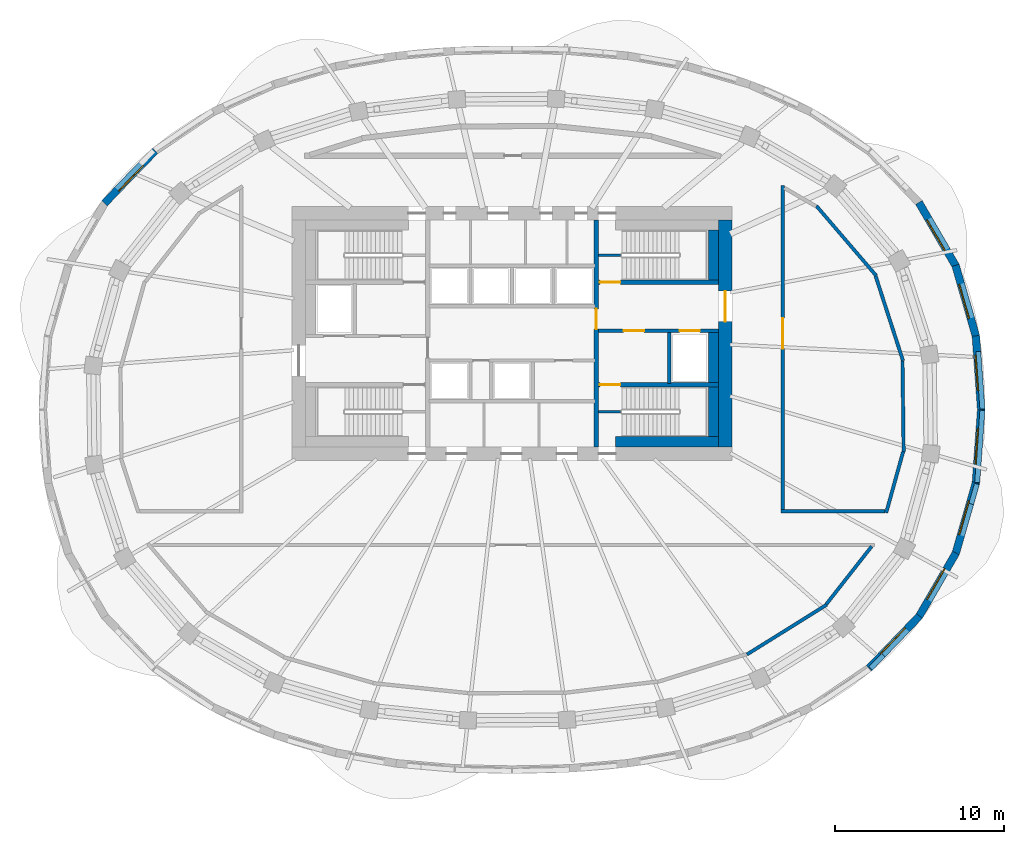
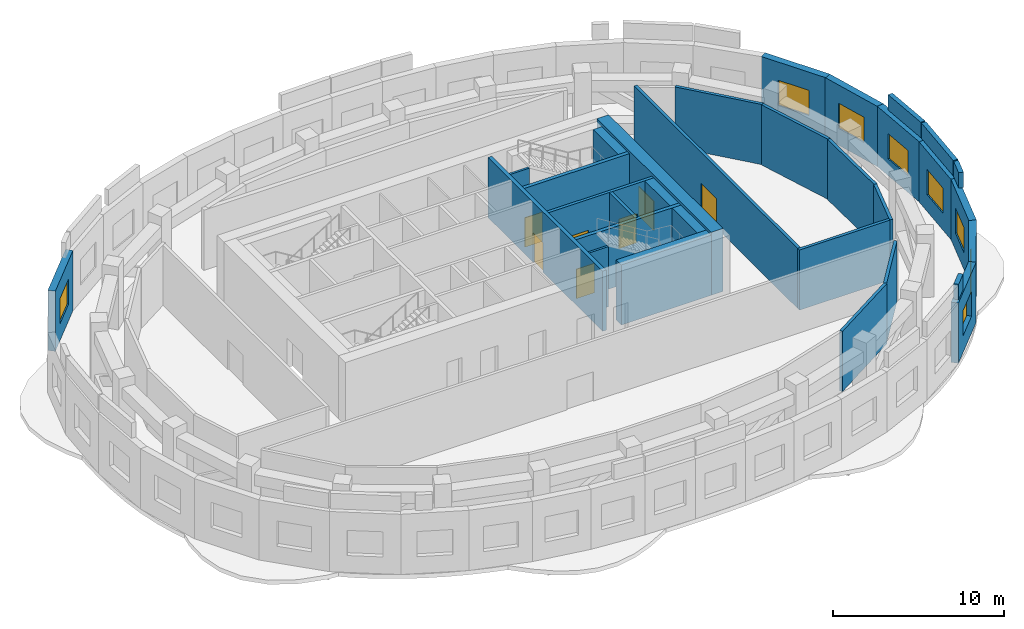
# One storey, part 6 of 9: 32 walls, 8 windows, 7 doors, 15 openings.
"""IFC4 building model written with IfcOpenShell, lengths in metres."""

from ifc_helpers import new_model, si_unit, direction, frame, frame_2d, origin, place, context, subcontext, project, spatial, rectangle, extrude, material, layer, layer_set, type_object, element, fill, save


model = new_model("IFC4")

# Units and contexts
model_context = context("Model", 3, precision=1e-05, world=origin(), true_north=direction((0.0, 1.0)))
body_context = subcontext(model_context, "Body", "Model", "MODEL_VIEW")
ifc_project = project(units=[si_unit("LENGTHUNIT", "METRE"), si_unit("AREAUNIT", "SQUARE_METRE"), si_unit("VOLUMEUNIT", "CUBIC_METRE"), si_unit("PLANEANGLEUNIT", "RADIAN"), si_unit("MASSUNIT", "GRAM", prefix="KILO")], contexts=[model_context])

# Site, building, storey
site_placement = place(None, origin())
site = spatial("IfcSite", under=ifc_project, at=site_placement, CompositionType="ELEMENT")
building_placement = place(site_placement, origin())
building = spatial("IfcBuilding", under=site, at=building_placement, Name="Rubra Terraces Tower", CompositionType="ELEMENT")
storey_placement = place(building_placement, frame((0.0, 0.0, 216.89990234375)))
storey = spatial("IfcBuildingStorey", under=building, at=storey_placement, Name="L53", CompositionType="ELEMENT", Elevation=216.89990234375)

# Wall, opening, window
ifc_material_1 = material(Name="Brick masonry red-brown", Category="masonry")
ifc_layer_1 = layer(ifc_material_1, 0.449951171875)
ifc_layer_set_1 = layer_set([ifc_layer_1], Name="Brick masonry red-brown")
wall_type_1 = type_object("IfcWallType", Name="Brick facade wall 450", PredefinedType="SOLIDWALL", material=ifc_layer_set_1)
wall_1_placement = place(storey_placement, frame((27.7255859375, -0.01611328125, 0.0), z_axis=(0.0, 0.0, 1.0), x_axis=(-0.071768934506, 0.997421285135, 0.0)))
wall_1 = element("IfcWall", 1, at=wall_1_placement, inside=storey, type_object=wall_type_1, Name="Facade wall L53 bay 1", PredefinedType="SOLIDWALL", context=body_context, shape_type="SweptSolid", body=[
    extrude(rectangle(XDim=4.38818359375, YDim=0.449951171875, at=frame_2d((2.194091796875, 0.0))), origin(), (0.0, 0.0, 1.0), 4.300048828125),
])
opening_1_placement = place(wall_1_placement, frame((1.144287109375, 0.0, 1.199951171875)))
opening_1 = element("IfcOpeningElement", 2, at=opening_1_placement, cuts=wall_1, Name="Opening W4", PredefinedType="OPENING", context=body_context, shape_type="SweptSolid", body=[
    extrude(rectangle(XDim=2.10009765625, YDim=1.800048828125, at=frame_2d((1.050048828125, 0.89990234375))), frame((0.0, 0.23486328125, 0.0), z_axis=(0.0, -1.0, 0.0), x_axis=(1.0, 0.0, 0.0)), (0.0, 0.0, 1.0), 0.469970703125),
])
ifc_material_2 = material(Name="Clear glass in aluminium frame", Category="aluminium")
window_type = type_object("IfcWindowType", Name="Louvred plant window 2100 x 1800", PartitioningType="SINGLE_PANEL", PredefinedType="WINDOW", material=ifc_material_2)
window_1_placement = place(opening_1_placement, origin())
window_1 = element("IfcWindow", 3, at=window_1_placement, inside=storey, type_object=window_type, Name="Window L53 bay 1", OverallHeight=1.800048828125, OverallWidth=2.10009765625, PartitioningType="SINGLE_PANEL", PredefinedType="WINDOW", context=body_context, shape_type="SweptSolid", body=[
    extrude(rectangle(XDim=2.10009765625, YDim=1.800048828125, at=frame_2d((1.050048828125, 0.89990234375))), frame((0.0, 0.135009765625, 0.0), z_axis=(0.0, -1.0, 0.0), x_axis=(1.0, 0.0, 0.0)), (0.0, 0.0, 1.0), 0.06005859375),
])
fill(opening_1, window_1)

wall_2_placement = place(storey_placement, frame((27.418701171875, 4.314697265625, 0.0), z_axis=(0.0, 0.0, 1.0), x_axis=(-0.276281679347, 0.961076705397, 0.0)))
wall_2 = element("IfcWall", 4, at=wall_2_placement, inside=storey, type_object=wall_type_1, Name="Facade wall L53 bay 2", PredefinedType="SOLIDWALL", context=body_context, shape_type="SweptSolid", body=[
    extrude(rectangle(XDim=4.37939453125, YDim=0.449951171875, at=frame_2d((2.189697265625, 0.0))), origin(), (0.0, 0.0, 1.0), 4.300048828125),
])
opening_2_placement = place(wall_2_placement, frame((1.1396484375, 0.0, 1.199951171875)))
opening_2 = element("IfcOpeningElement", 5, at=opening_2_placement, cuts=wall_2, Name="Opening W4", PredefinedType="OPENING", context=body_context, shape_type="SweptSolid", body=[
    extrude(rectangle(XDim=2.10009765625, YDim=1.800048828125, at=frame_2d((1.050048828125, 0.89990234375))), frame((0.0, 0.23486328125, 0.0), z_axis=(0.0, -1.0, 0.0), x_axis=(1.0, 0.0, 0.0)), (0.0, 0.0, 1.0), 0.469970703125),
])
window_2_placement = place(opening_2_placement, origin())
window_2 = element("IfcWindow", 6, at=window_2_placement, inside=storey, type_object=window_type, Name="Window L53 bay 2", OverallHeight=1.800048828125, OverallWidth=2.10009765625, PartitioningType="SINGLE_PANEL", PredefinedType="WINDOW", context=body_context, shape_type="SweptSolid", body=[
    extrude(rectangle(XDim=2.10009765625, YDim=1.800048828125, at=frame_2d((1.050048828125, 0.89990234375))), frame((0.0, 0.135009765625, 0.0), z_axis=(0.0, -1.0, 0.0), x_axis=(1.0, 0.0, 0.0)), (0.0, 0.0, 1.0), 0.06005859375),
])
fill(opening_2, window_2)

wall_3_placement = place(storey_placement, frame((26.23046875, 8.472900390625, 0.0), z_axis=(0.0, 0.0, 1.0), x_axis=(-0.502203169453, 0.864749661227, 0.0)))
wall_3 = element("IfcWall", 7, at=wall_3_placement, inside=storey, type_object=wall_type_1, Name="Facade wall L53 bay 3", PredefinedType="SOLIDWALL", context=body_context, shape_type="SweptSolid", body=[
    extrude(rectangle(XDim=4.352783203125, YDim=0.449951171875, at=frame_2d((2.17626953125, 0.0))), origin(), (0.0, 0.0, 1.0), 4.300048828125),
])
opening_3_placement = place(wall_3_placement, frame((1.12646484375, 0.0, 1.199951171875)))
opening_3 = element("IfcOpeningElement", 8, at=opening_3_placement, cuts=wall_3, Name="Opening W4", PredefinedType="OPENING", context=body_context, shape_type="SweptSolid", body=[
    extrude(rectangle(XDim=2.10009765625, YDim=1.800048828125, at=frame_2d((1.050048828125, 0.89990234375))), frame((0.0, 0.23486328125, 0.0), z_axis=(0.0, -1.0, 0.0), x_axis=(1.0, 0.0, 0.0)), (0.0, 0.0, 1.0), 0.469970703125),
])
window_3_placement = place(opening_3_placement, origin())
window_3 = element("IfcWindow", 9, at=window_3_placement, inside=storey, type_object=window_type, Name="Window L53 bay 3", OverallHeight=1.800048828125, OverallWidth=2.10009765625, PartitioningType="SINGLE_PANEL", PredefinedType="WINDOW", context=body_context, shape_type="SweptSolid", body=[
    extrude(rectangle(XDim=2.10009765625, YDim=1.800048828125, at=frame_2d((1.050048828125, 0.89990234375))), frame((0.0, 0.135009765625, 0.0), z_axis=(0.0, -1.0, 0.0), x_axis=(1.0, 0.0, 0.0)), (0.0, 0.0, 1.0), 0.06005859375),
])
fill(opening_3, window_3)

wall_4_placement = place(storey_placement, frame((-21.093994140625, 15.287841796875, 0.0), z_axis=(0.0, 0.0, 1.0), x_axis=(-0.69406513137, -0.719912212298, 0.0)))
wall_4 = element("IfcWall", 10, at=wall_4_placement, inside=storey, type_object=wall_type_1, Name="Facade wall L53 bay 17", PredefinedType="SOLIDWALL", context=body_context, shape_type="SweptSolid", body=[
    extrude(rectangle(XDim=4.2978515625, YDim=0.449951171875, at=frame_2d((2.14892578125, 0.0))), origin(), (0.0, 0.0, 1.0), 4.300048828125),
])
opening_4_placement = place(wall_4_placement, frame((1.098876953125, 0.0, 1.199951171875)))
opening_4 = element("IfcOpeningElement", 11, at=opening_4_placement, cuts=wall_4, Name="Opening W4", PredefinedType="OPENING", context=body_context, shape_type="SweptSolid", body=[
    extrude(rectangle(XDim=2.10009765625, YDim=1.800048828125, at=frame_2d((1.050048828125, 0.89990234375))), frame((0.0, 0.23486328125, 0.0), z_axis=(0.0, -1.0, 0.0), x_axis=(1.0, 0.0, 0.0)), (0.0, 0.0, 1.0), 0.469970703125),
])
window_4_placement = place(opening_4_placement, origin())
window_4 = element("IfcWindow", 12, at=window_4_placement, inside=storey, type_object=window_type, Name="Window L53 bay 17", OverallHeight=1.800048828125, OverallWidth=2.10009765625, PartitioningType="SINGLE_PANEL", PredefinedType="WINDOW", context=body_context, shape_type="SweptSolid", body=[
    extrude(rectangle(XDim=2.10009765625, YDim=1.800048828125, at=frame_2d((1.050048828125, 0.89990234375))), frame((0.0, 0.135009765625, 0.0), z_axis=(0.0, -1.0, 0.0), x_axis=(1.0, 0.0, 0.0)), (0.0, 0.0, 1.0), 0.06005859375),
])
fill(opening_4, window_4)

wall_5_placement = place(storey_placement, frame((21.093994140625, -15.287841796875, 0.0), z_axis=(0.0, 0.0, 1.0), x_axis=(0.69406513137, 0.719912212298, 0.0)))
wall_5 = element("IfcWall", 13, at=wall_5_placement, inside=storey, type_object=wall_type_1, Name="Facade wall L53 bay 37", PredefinedType="SOLIDWALL", context=body_context, shape_type="SweptSolid", body=[
    extrude(rectangle(XDim=4.2978515625, YDim=0.449951171875, at=frame_2d((2.14892578125, 0.0))), origin(), (0.0, 0.0, 1.0), 4.300048828125),
])
opening_5_placement = place(wall_5_placement, frame((1.098876953125, 0.0, 1.199951171875)))
opening_5 = element("IfcOpeningElement", 14, at=opening_5_placement, cuts=wall_5, Name="Opening W4", PredefinedType="OPENING", context=body_context, shape_type="SweptSolid", body=[
    extrude(rectangle(XDim=2.10009765625, YDim=1.800048828125, at=frame_2d((1.050048828125, 0.89990234375))), frame((0.0, 0.23486328125, 0.0), z_axis=(0.0, -1.0, 0.0), x_axis=(1.0, 0.0, 0.0)), (0.0, 0.0, 1.0), 0.469970703125),
])
window_5_placement = place(opening_5_placement, origin())
window_5 = element("IfcWindow", 15, at=window_5_placement, inside=storey, type_object=window_type, Name="Window L53 bay 37", OverallHeight=1.800048828125, OverallWidth=2.10009765625, PartitioningType="SINGLE_PANEL", PredefinedType="WINDOW", context=body_context, shape_type="SweptSolid", body=[
    extrude(rectangle(XDim=2.10009765625, YDim=1.800048828125, at=frame_2d((1.050048828125, 0.89990234375))), frame((0.0, 0.135009765625, 0.0), z_axis=(0.0, -1.0, 0.0), x_axis=(1.0, 0.0, 0.0)), (0.0, 0.0, 1.0), 0.06005859375),
])
fill(opening_5, window_5)

wall_6_placement = place(storey_placement, frame((24.04443359375, -12.237060546875, 0.0), z_axis=(0.0, 0.0, 1.0), x_axis=(0.502203169453, 0.864749661227, 0.0)))
wall_6 = element("IfcWall", 16, at=wall_6_placement, inside=storey, type_object=wall_type_1, Name="Facade wall L53 bay 38", PredefinedType="SOLIDWALL", context=body_context, shape_type="SweptSolid", body=[
    extrude(rectangle(XDim=4.352783203125, YDim=0.449951171875, at=frame_2d((2.17626953125, 0.0))), origin(), (0.0, 0.0, 1.0), 4.300048828125),
])
opening_6_placement = place(wall_6_placement, frame((1.12646484375, 0.0, 1.199951171875)))
opening_6 = element("IfcOpeningElement", 17, at=opening_6_placement, cuts=wall_6, Name="Opening W4", PredefinedType="OPENING", context=body_context, shape_type="SweptSolid", body=[
    extrude(rectangle(XDim=2.10009765625, YDim=1.800048828125, at=frame_2d((1.050048828125, 0.89990234375))), frame((0.0, 0.23486328125, 0.0), z_axis=(0.0, -1.0, 0.0), x_axis=(1.0, 0.0, 0.0)), (0.0, 0.0, 1.0), 0.469970703125),
])
window_6_placement = place(opening_6_placement, origin())
window_6 = element("IfcWindow", 18, at=window_6_placement, inside=storey, type_object=window_type, Name="Window L53 bay 38", OverallHeight=1.800048828125, OverallWidth=2.10009765625, PartitioningType="SINGLE_PANEL", PredefinedType="WINDOW", context=body_context, shape_type="SweptSolid", body=[
    extrude(rectangle(XDim=2.10009765625, YDim=1.800048828125, at=frame_2d((1.050048828125, 0.89990234375))), frame((0.0, 0.135009765625, 0.0), z_axis=(0.0, -1.0, 0.0), x_axis=(1.0, 0.0, 0.0)), (0.0, 0.0, 1.0), 0.06005859375),
])
fill(opening_6, window_6)

wall_7_placement = place(storey_placement, frame((26.208740234375, -8.523681640625, 0.0), z_axis=(0.0, 0.0, 1.0), x_axis=(0.276281679347, 0.961076705397, 0.0)))
wall_7 = element("IfcWall", 19, at=wall_7_placement, inside=storey, type_object=wall_type_1, Name="Facade wall L53 bay 39", PredefinedType="SOLIDWALL", context=body_context, shape_type="SweptSolid", body=[
    extrude(rectangle(XDim=4.37939453125, YDim=0.449951171875, at=frame_2d((2.189697265625, 0.0))), origin(), (0.0, 0.0, 1.0), 4.300048828125),
])
opening_7_placement = place(wall_7_placement, frame((1.1396484375, 0.0, 1.199951171875)))
opening_7 = element("IfcOpeningElement", 20, at=opening_7_placement, cuts=wall_7, Name="Opening W4", PredefinedType="OPENING", context=body_context, shape_type="SweptSolid", body=[
    extrude(rectangle(XDim=2.10009765625, YDim=1.800048828125, at=frame_2d((1.050048828125, 0.89990234375))), frame((0.0, 0.23486328125, 0.0), z_axis=(0.0, -1.0, 0.0), x_axis=(1.0, 0.0, 0.0)), (0.0, 0.0, 1.0), 0.469970703125),
])
window_7_placement = place(opening_7_placement, origin())
window_7 = element("IfcWindow", 21, at=window_7_placement, inside=storey, type_object=window_type, Name="Window L53 bay 39", OverallHeight=1.800048828125, OverallWidth=2.10009765625, PartitioningType="SINGLE_PANEL", PredefinedType="WINDOW", context=body_context, shape_type="SweptSolid", body=[
    extrude(rectangle(XDim=2.10009765625, YDim=1.800048828125, at=frame_2d((1.050048828125, 0.89990234375))), frame((0.0, 0.135009765625, 0.0), z_axis=(0.0, -1.0, 0.0), x_axis=(1.0, 0.0, 0.0)), (0.0, 0.0, 1.0), 0.06005859375),
])
fill(opening_7, window_7)

wall_8_placement = place(storey_placement, frame((27.41064453125, -4.36083984375, 0.0), z_axis=(0.0, 0.0, 1.0), x_axis=(0.071768934506, 0.997421285135, 0.0)))
wall_8 = element("IfcWall", 22, at=wall_8_placement, inside=storey, type_object=wall_type_1, Name="Facade wall L53 bay 40", PredefinedType="SOLIDWALL", context=body_context, shape_type="SweptSolid", body=[
    extrude(rectangle(XDim=4.38818359375, YDim=0.449951171875, at=frame_2d((2.194091796875, 0.0))), origin(), (0.0, 0.0, 1.0), 4.300048828125),
])
opening_8_placement = place(wall_8_placement, frame((1.144287109375, 0.0, 1.199951171875)))
opening_8 = element("IfcOpeningElement", 23, at=opening_8_placement, cuts=wall_8, Name="Opening W4", PredefinedType="OPENING", context=body_context, shape_type="SweptSolid", body=[
    extrude(rectangle(XDim=2.10009765625, YDim=1.800048828125, at=frame_2d((1.050048828125, 0.89990234375))), frame((0.0, 0.23486328125, 0.0), z_axis=(0.0, -1.0, 0.0), x_axis=(1.0, 0.0, 0.0)), (0.0, 0.0, 1.0), 0.469970703125),
])
window_8_placement = place(opening_8_placement, origin())
window_8 = element("IfcWindow", 24, at=window_8_placement, inside=storey, type_object=window_type, Name="Window L53 bay 40", OverallHeight=1.800048828125, OverallWidth=2.10009765625, PartitioningType="SINGLE_PANEL", PredefinedType="WINDOW", context=body_context, shape_type="SweptSolid", body=[
    extrude(rectangle(XDim=2.10009765625, YDim=1.800048828125, at=frame_2d((1.050048828125, 0.89990234375))), frame((0.0, 0.135009765625, 0.0), z_axis=(0.0, -1.0, 0.0), x_axis=(1.0, 0.0, 0.0)), (0.0, 0.0, 1.0), 0.06005859375),
])
fill(opening_8, window_8)

# Walls
ifc_layer_2 = layer(ifc_material_1, 0.300048828125)
ifc_layer_set_2 = layer_set([ifc_layer_2], Name="Brick masonry red-brown")
wall_type_2 = type_object("IfcWallType", Name="Brick parapet 300", PredefinedType="PARAPET", material=ifc_layer_set_2)
wall_9_placement = place(storey_placement, frame((27.796630859375, 0.040771484375, 4.5), z_axis=(0.0, 0.0, 1.0), x_axis=(-0.071796990268, 0.997419266, 0.0)))
element("IfcWall", 25, at=wall_9_placement, inside=storey, type_object=wall_type_2, Name="Parapet L53 bay 1", PredefinedType="PARAPET", context=body_context, shape_type="SweptSolid", body=[
    extrude(rectangle(XDim=3.4072265625, YDim=0.300048828125, at=frame_2d((1.70361328125, 0.0))), origin(), (0.0, 0.0, 1.0), 1.10009765625),
])
wall_10_placement = place(storey_placement, frame((21.19091796875, -15.29541015625, 4.5), z_axis=(0.0, 0.0, 1.0), x_axis=(0.694032216522, 0.719943943949, 0.0)))
element("IfcWall", 26, at=wall_10_placement, inside=storey, type_object=wall_type_2, Name="Parapet L53 bay 37", PredefinedType="PARAPET", context=body_context, shape_type="SweptSolid", body=[
    extrude(rectangle(XDim=1.093017578125, YDim=0.300048828125, at=frame_2d((0.54638671875, 0.0))), origin(), (0.0, 0.0, 1.0), 1.10009765625),
])
wall_11_placement = place(storey_placement, frame((27.13427734375, -5.576416015625, 4.5), z_axis=(0.0, 0.0, 1.0), x_axis=(0.276163011399, 0.961110811059, 0.0)))
element("IfcWall", 27, at=wall_11_placement, inside=storey, type_object=wall_type_2, Name="Parapet L53 bay 39", PredefinedType="PARAPET", context=body_context, shape_type="SweptSolid", body=[
    extrude(rectangle(XDim=1.229736328125, YDim=0.300048828125, at=frame_2d((0.61474609375, 0.0))), origin(), (0.0, 0.0, 1.0), 1.10009765625),
])
wall_12_placement = place(storey_placement, frame((27.48974609375, -4.304931640625, 4.5), z_axis=(0.0, 0.0, 1.0), x_axis=(0.071782738279, 0.997420291795, 0.0)))
element("IfcWall", 28, at=wall_12_placement, inside=storey, type_object=wall_type_2, Name="Parapet L53 bay 40", PredefinedType="PARAPET", context=body_context, shape_type="SweptSolid", body=[
    extrude(rectangle(XDim=4.275146484375, YDim=0.300048828125, at=frame_2d((2.1376953125, 0.0))), origin(), (0.0, 0.0, 1.0), 1.10009765625),
])

# Wall, opening, door
ifc_material_3 = material(Name="Concrete C50", Category="concrete")
ifc_layer_3 = layer(ifc_material_3, 0.800048828125)
ifc_layer_set_3 = layer_set([ifc_layer_3], Name="Concrete C50")
wall_type_3 = type_object("IfcWallType", Name="CORE WALL 800 C50", PredefinedType="SHEAR", material=ifc_layer_set_3)
wall_13_placement = place(storey_placement, frame((12.60009765625, -2.199951171875, 0.0), z_axis=(0.0, 0.0, 1.0), x_axis=(0.0, 1.0, 0.0)))
wall_13 = element("IfcWall", 29, at=wall_13_placement, inside=storey, type_object=wall_type_3, Name="CORE WALL E L53", PredefinedType="SHEAR", context=body_context, shape_type="SweptSolid", body=[
    extrude(rectangle(XDim=13.39990234375, YDim=0.800048828125, at=frame_2d((6.699951171875, 0.0))), origin(), (0.0, 0.0, 1.0), 4.5),
])
opening_9_placement = place(wall_13_placement, frame((7.39990234375, 0.0, 0.0)))
opening_9 = element("IfcOpeningElement", 30, at=opening_9_placement, cuts=wall_13, Name="Opening L53.C02", PredefinedType="OPENING", context=body_context, shape_type="SweptSolid", body=[
    extrude(rectangle(XDim=1.800048828125, YDim=2.10009765625, at=frame_2d((0.89990234375, 1.050048828125))), frame((0.0, 0.409912109375, 0.0), z_axis=(0.0, -1.0, 0.0), x_axis=(1.0, 0.0, 0.0)), (0.0, 0.0, 1.0), 0.820068359375),
])
ifc_material_4 = material(Name="Painted steel", Category="steel")
door_type_1 = type_object("IfcDoorType", Name="Fire door 1800x2100 double", OperationType="NOTDEFINED", PredefinedType="DOOR", material=ifc_material_4)
door_1_placement = place(opening_9_placement, origin())
door_1 = element("IfcDoor", 31, at=door_1_placement, inside=storey, type_object=door_type_1, Name="Core entrance door FF2", OperationType="DOUBLE_DOOR_SINGLE_SWING", OverallHeight=2.10009765625, OverallWidth=1.800048828125, PredefinedType="DOOR", context=body_context, shape_type="SweptSolid", body=[
    extrude(rectangle(XDim=1.800048828125, YDim=2.10009765625, at=frame_2d((0.89990234375, 1.050048828125))), frame((0.0, 0.02490234375, 0.0), z_axis=(0.0, -1.0, 0.0), x_axis=(1.0, 0.0, 0.0)), (0.0, 0.0, 1.0), 0.050048828125),
])
fill(opening_9, door_1)

# Walls
ifc_material_5 = material(Name="Concrete C40", Category="concrete")
ifc_layer_4 = layer(ifc_material_5, 0.60009765625)
ifc_layer_set_4 = layer_set([ifc_layer_4], Name="Concrete C40")
wall_type_4 = type_object("IfcWallType", Name="Core lining wall 600 concrete", PredefinedType="SOLIDWALL", material=ifc_layer_set_4)
wall_14_placement = place(storey_placement, frame((11.89990234375, 10.60009765625, 0.0), z_axis=(0.0, 0.0, 1.0), x_axis=(0.0, -1.0, 0.0)))
element("IfcWall", 32, at=wall_14_placement, inside=storey, type_object=wall_type_4, Name="CORE LINING WALL L53", PredefinedType="SOLIDWALL", context=body_context, shape_type="SweptSolid", body=[
    extrude(rectangle(XDim=2.9501953125, YDim=0.60009765625, at=frame_2d((1.47509765625, 0.0))), origin(), (0.0, 0.0, 1.0), 4.300048828125),
])
wall_15_placement = place(storey_placement, frame((11.89990234375, 4.550048828125, 0.0), z_axis=(0.0, 0.0, 1.0), x_axis=(0.0, -1.0, 0.0)))
element("IfcWall", 33, at=wall_15_placement, inside=storey, type_object=wall_type_4, Name="CORE LINING WALL L53", PredefinedType="SOLIDWALL", context=body_context, shape_type="SweptSolid", body=[
    extrude(rectangle(XDim=3.0, YDim=0.60009765625, at=frame_2d((1.5, 0.0))), origin(), (0.0, 0.0, 1.0), 4.300048828125),
])
wall_16_placement = place(storey_placement, frame((11.89990234375, 1.35009765625, 0.0), z_axis=(0.0, 0.0, 1.0), x_axis=(0.0, -1.0, 0.0)))
element("IfcWall", 34, at=wall_16_placement, inside=storey, type_object=wall_type_4, Name="CORE LINING WALL L53", PredefinedType="SOLIDWALL", context=body_context, shape_type="SweptSolid", body=[
    extrude(rectangle(XDim=2.9501953125, YDim=0.60009765625, at=frame_2d((1.47509765625, 0.0))), origin(), (0.0, 0.0, 1.0), 4.300048828125),
])
wall_17_placement = place(storey_placement, frame((12.199951171875, -1.89990234375, 0.0), z_axis=(0.0, 0.0, 1.0), x_axis=(-1.0, 0.0, 0.0)))
element("IfcWall", 35, at=wall_17_placement, inside=storey, type_object=wall_type_4, Name="CORE LINING WALL L53", PredefinedType="SOLIDWALL", context=body_context, shape_type="SweptSolid", body=[
    extrude(rectangle(XDim=6.079833984375, YDim=0.60009765625, at=frame_2d((3.0400390625, 0.0))), origin(), (0.0, 0.0, 1.0), 4.300048828125),
])

# Wall, openings, doors
ifc_material_6 = material(Name="Concrete C30", Category="concrete")
ifc_layer_5 = layer(ifc_material_6, 0.199951171875)
ifc_layer_set_5 = layer_set([ifc_layer_5], Name="Concrete C30")
wall_type_5 = type_object("IfcWallType", Name="Core wall 200 concrete", PredefinedType="SOLIDWALL", material=ifc_layer_set_5)
wall_18_placement = place(storey_placement, frame((12.199951171875, 4.64990234375, 0.0), z_axis=(0.0, 0.0, 1.0), x_axis=(-1.0, 0.0, 0.0)))
wall_18 = element("IfcWall", 36, at=wall_18_placement, inside=storey, type_object=wall_type_5, Name="STAIR WALL L53", PredefinedType="SOLIDWALL", context=body_context, shape_type="SweptSolid", body=[
    extrude(rectangle(XDim=7.099853515625, YDim=0.199951171875, at=frame_2d((3.5498046875, 0.0))), origin(), (0.0, 0.0, 1.0), 4.300048828125),
])
opening_10_placement = place(wall_18_placement, frame((4.39990234375, 0.0, 0.0)))
opening_10 = element("IfcOpeningElement", 37, at=opening_10_placement, cuts=wall_18, Name="Opening L53.C06", PredefinedType="OPENING", context=body_context, shape_type="SweptSolid", body=[
    extrude(rectangle(XDim=1.199951171875, YDim=2.10009765625, at=frame_2d((0.60009765625, 1.050048828125))), frame((0.0, 0.10986328125, 0.0), z_axis=(0.0, -1.0, 0.0), x_axis=(1.0, 0.0, 0.0)), (0.0, 0.0, 1.0), 0.219970703125),
])
opening_11_placement = place(wall_18_placement, frame((1.10009765625, 0.0, 0.0)))
opening_11 = element("IfcOpeningElement", 38, at=opening_11_placement, cuts=wall_18, Name="Opening L53.C12", PredefinedType="OPENING", context=body_context, shape_type="SweptSolid", body=[
    extrude(rectangle(XDim=1.199951171875, YDim=2.10009765625, at=frame_2d((0.60009765625, 1.050048828125))), frame((0.0, 0.10986328125, 0.0), z_axis=(0.0, -1.0, 0.0), x_axis=(1.0, 0.0, 0.0)), (0.0, 0.0, 1.0), 0.219970703125),
])
door_type_2 = type_object("IfcDoorType", Name="Fire door 1200x2100 single", OperationType="NOTDEFINED", PredefinedType="DOOR", material=ifc_material_4)
door_2_placement = place(opening_10_placement, origin())
door_2 = element("IfcDoor", 39, at=door_2_placement, inside=storey, type_object=door_type_2, Name="Stair vestibule door S4", OperationType="SINGLE_SWING_RIGHT", OverallHeight=2.10009765625, OverallWidth=1.199951171875, PredefinedType="DOOR", context=body_context, shape_type="SweptSolid", body=[
    extrude(rectangle(XDim=1.199951171875, YDim=2.10009765625, at=frame_2d((0.60009765625, 1.050048828125))), frame((0.0, 0.02490234375, 0.0), z_axis=(0.0, -1.0, 0.0), x_axis=(1.0, 0.0, 0.0)), (0.0, 0.0, 1.0), 0.050048828125),
])
fill(opening_10, door_2)
ifc_material_7 = material(Name="Stainless steel", Category="steel")
door_type_3 = type_object("IfcDoorType", Name="Lift landing door 1200x2100", OperationType="NOTDEFINED", PredefinedType="DOOR", material=ifc_material_7)
door_3_placement = place(opening_11_placement, origin())
door_3 = element("IfcDoor", 40, at=door_3_placement, inside=storey, type_object=door_type_3, Name="Landing door FF2", OperationType="SLIDING_TO_RIGHT", OverallHeight=2.10009765625, OverallWidth=1.199951171875, PredefinedType="DOOR", context=body_context, shape_type="SweptSolid", body=[
    extrude(rectangle(XDim=1.199951171875, YDim=2.10009765625, at=frame_2d((0.60009765625, 1.050048828125))), frame((0.0, 0.02490234375, 0.0), z_axis=(0.0, -1.0, 0.0), x_axis=(1.0, 0.0, 0.0)), (0.0, 0.0, 1.0), 0.050048828125),
])
fill(opening_11, door_3)

# Walls
wall_19_placement = place(storey_placement, frame((9.300048828125, 4.550048828125, 0.0), z_axis=(0.0, 0.0, 1.0), x_axis=(0.0, -1.0, 0.0)))
element("IfcWall", 41, at=wall_19_placement, inside=storey, type_object=wall_type_5, Name="STAIR WALL L53", PredefinedType="SOLIDWALL", context=body_context, shape_type="SweptSolid", body=[
    extrude(rectangle(XDim=3.0, YDim=0.199951171875, at=frame_2d((1.5, 0.0))), origin(), (0.0, 0.0, 1.0), 4.300048828125),
])
ifc_material_8 = material(Name="Blockwork", Category="masonry")
ifc_layer_6 = layer(ifc_material_8, 0.199951171875)
ifc_layer_set_6 = layer_set([ifc_layer_6], Name="Blockwork")
wall_type_6 = type_object("IfcWallType", Name="Corridor partition 200 blockwork", PredefinedType="PARTITIONING", material=ifc_layer_set_6)
wall_20_placement = place(storey_placement, frame((18.592041015625, -11.529052734375, 0.0), z_axis=(0.0, 0.0, 1.0), x_axis=(-0.848235498754, -0.529619239316, 0.0)))
element("IfcWall", 42, at=wall_20_placement, inside=storey, type_object=wall_type_6, Name="Partition wall", PredefinedType="PARTITIONING", context=body_context, shape_type="SweptSolid", body=[
    extrude(rectangle(XDim=5.54931640625, YDim=0.199951171875, at=frame_2d((2.774658203125, 0.0))), origin(), (0.0, 0.0, 1.0), 4.300048828125),
])
wall_21_placement = place(storey_placement, frame((21.25390625, -8.0791015625, 0.0), z_axis=(0.0, 0.0, 1.0), x_axis=(-0.617062956964, -0.786913786347, 0.0)))
element("IfcWall", 43, at=wall_21_placement, inside=storey, type_object=wall_type_6, Name="Partition wall", PredefinedType="PARTITIONING", context=body_context, shape_type="SweptSolid", body=[
    extrude(rectangle(XDim=4.35107421875, YDim=0.199951171875, at=frame_2d((2.175537109375, 0.0))), origin(), (0.0, 0.0, 1.0), 4.300048828125),
])
wall_22_placement = place(storey_placement, frame((17.989013671875, 12.037109375, 0.0), z_axis=(0.0, 0.0, 1.0), x_axis=(0.65046908435, -0.759532731556, 0.0)))
element("IfcWall", 44, at=wall_22_placement, inside=storey, type_object=wall_type_6, Name="Partition wall", PredefinedType="PARTITIONING", context=body_context, shape_type="SweptSolid", body=[
    extrude(rectangle(XDim=5.428466796875, YDim=0.199951171875, at=frame_2d((2.71435546875, 0.0))), origin(), (0.0, 0.0, 1.0), 4.300048828125),
])
wall_23_placement = place(storey_placement, frame((21.486083984375, 7.89501953125, 0.0), z_axis=(0.0, 0.0, 1.0), x_axis=(0.307481575482, -0.951554034587, 0.0)))
element("IfcWall", 45, at=wall_23_placement, inside=storey, type_object=wall_type_6, Name="Partition wall", PredefinedType="PARTITIONING", context=body_context, shape_type="SweptSolid", body=[
    extrude(rectangle(XDim=5.2587890625, YDim=0.199951171875, at=frame_2d((2.62939453125, 0.0))), origin(), (0.0, 0.0, 1.0), 4.300048828125),
])
wall_24_placement = place(storey_placement, frame((23.072998046875, 2.885986328125, 0.0), z_axis=(0.0, 0.0, 1.0), x_axis=(0.012666982201, -0.999919770563, 0.0)))
element("IfcWall", 46, at=wall_24_placement, inside=storey, type_object=wall_type_6, Name="Partition wall", PredefinedType="PARTITIONING", context=body_context, shape_type="SweptSolid", body=[
    extrude(rectangle(XDim=5.37744140625, YDim=0.199951171875, at=frame_2d((2.688720703125, 0.0))), origin(), (0.0, 0.0, 1.0), 4.300048828125),
])
wall_25_placement = place(storey_placement, frame((23.113037109375, -2.487060546875, 0.0), z_axis=(0.0, 0.0, 1.0), x_axis=(-0.2675161078, -0.963553388281, 0.0)))
element("IfcWall", 47, at=wall_25_placement, inside=storey, type_object=wall_type_6, Name="Partition wall", PredefinedType="PARTITIONING", context=body_context, shape_type="SweptSolid", body=[
    extrude(rectangle(XDim=3.745361328125, YDim=0.199951171875, at=frame_2d((1.87255859375, 0.0))), origin(), (0.0, 0.0, 1.0), 4.300048828125),
])
wall_26_placement = place(storey_placement, frame((22.0380859375, -6.0, 0.0), z_axis=(0.0, 0.0, 1.0), x_axis=(-1.0, 0.0, 0.0)))
element("IfcWall", 48, at=wall_26_placement, inside=storey, type_object=wall_type_6, Name="Partition wall", PredefinedType="PARTITIONING", context=body_context, shape_type="SweptSolid", body=[
    extrude(rectangle(XDim=6.13818359375, YDim=0.199951171875, at=frame_2d((3.069091796875, 0.0))), origin(), (0.0, 0.0, 1.0), 4.300048828125),
])

# Wall, opening, door
wall_27_placement = place(storey_placement, frame((16.0, -5.89990234375, 0.0), z_axis=(0.0, 0.0, 1.0), x_axis=(0.0, 1.0, 0.0)))
wall_27 = element("IfcWall", 49, at=wall_27_placement, inside=storey, type_object=wall_type_6, Name="Partition wall", PredefinedType="PARTITIONING", context=body_context, shape_type="SweptSolid", body=[
    extrude(rectangle(XDim=19.15185546875, YDim=0.199951171875, at=frame_2d((9.575927734375, 0.0))), origin(), (0.0, 0.0, 1.0), 4.300048828125),
])
opening_12_placement = place(wall_27_placement, frame((9.5, 0.0, 0.0)))
opening_12 = element("IfcOpeningElement", 50, at=opening_12_placement, cuts=wall_27, Name="Opening DB3", PredefinedType="OPENING", context=body_context, shape_type="SweptSolid", body=[
    extrude(rectangle(XDim=1.800048828125, YDim=2.10009765625, at=frame_2d((0.89990234375, 1.050048828125))), frame((0.0, 0.10986328125, 0.0), z_axis=(0.0, -1.0, 0.0), x_axis=(1.0, 0.0, 0.0)), (0.0, 0.0, 1.0), 0.219970703125),
])
door_type_4 = type_object("IfcDoorType", Name="Door 1800x2100 double", OperationType="NOTDEFINED", PredefinedType="DOOR", material=ifc_material_4)
door_4_placement = place(opening_12_placement, origin())
door_4 = element("IfcDoor", 51, at=door_4_placement, inside=storey, type_object=door_type_4, Name="Refuge area door L53-03", OperationType="DOUBLE_DOOR_SINGLE_SWING", OverallHeight=2.10009765625, OverallWidth=1.800048828125, PredefinedType="DOOR", context=body_context, shape_type="SweptSolid", body=[
    extrude(rectangle(XDim=1.800048828125, YDim=2.10009765625, at=frame_2d((0.89990234375, 1.050048828125))), frame((0.0, 0.02490234375, 0.0), z_axis=(0.0, -1.0, 0.0), x_axis=(1.0, 0.0, 0.0)), (0.0, 0.0, 1.0), 0.050048828125),
])
fill(opening_12, door_4)

ifc_layer_7 = layer(ifc_material_5, 0.25)
ifc_layer_set_7 = layer_set([ifc_layer_7], Name="Concrete C40")
wall_type_7 = type_object("IfcWallType", Name="Stair enclosure wall 250 concrete", PredefinedType="SOLIDWALL", material=ifc_layer_set_7)
wall_28_placement = place(storey_placement, frame((12.199951171875, 7.52490234375, 0.0), z_axis=(0.0, 0.0, 1.0), x_axis=(-1.0, 0.0, 0.0)))
wall_28 = element("IfcWall", 52, at=wall_28_placement, inside=storey, type_object=wall_type_7, Name="STAIR WALL L53", PredefinedType="SOLIDWALL", context=body_context, shape_type="SweptSolid", body=[
    extrude(rectangle(XDim=7.099853515625, YDim=0.25, at=frame_2d((3.5498046875, 0.0))), origin(), (0.0, 0.0, 1.0), 4.300048828125),
])
opening_13_placement = place(wall_28_placement, frame((5.800048828125, 0.0, 0.0)))
opening_13 = element("IfcOpeningElement", 53, at=opening_13_placement, cuts=wall_28, Name="Opening L53.C08", PredefinedType="OPENING", context=body_context, shape_type="SweptSolid", body=[
    extrude(rectangle(XDim=1.199951171875, YDim=2.10009765625, at=frame_2d((0.60009765625, 1.050048828125))), frame((0.0, 0.135009765625, 0.0), z_axis=(0.0, -1.0, 0.0), x_axis=(1.0, 0.0, 0.0)), (0.0, 0.0, 1.0), 0.27001953125),
])
door_5_placement = place(opening_13_placement, origin())
door_5 = element("IfcDoor", 54, at=door_5_placement, inside=storey, type_object=door_type_2, Name="Stair door S3", OperationType="SINGLE_SWING_RIGHT", OverallHeight=2.10009765625, OverallWidth=1.199951171875, PredefinedType="DOOR", context=body_context, shape_type="SweptSolid", body=[
    extrude(rectangle(XDim=1.199951171875, YDim=2.10009765625, at=frame_2d((0.60009765625, 1.050048828125))), frame((0.0, 0.02490234375, 0.0), z_axis=(0.0, -1.0, 0.0), x_axis=(1.0, 0.0, 0.0)), (0.0, 0.0, 1.0), 0.050048828125),
])
fill(opening_13, door_5)

wall_29_placement = place(storey_placement, frame((12.199951171875, 1.47509765625, 0.0), z_axis=(0.0, 0.0, 1.0), x_axis=(-1.0, 0.0, 0.0)))
wall_29 = element("IfcWall", 55, at=wall_29_placement, inside=storey, type_object=wall_type_7, Name="STAIR WALL L53", PredefinedType="SOLIDWALL", context=body_context, shape_type="SweptSolid", body=[
    extrude(rectangle(XDim=7.099853515625, YDim=0.25, at=frame_2d((3.5498046875, 0.0))), origin(), (0.0, 0.0, 1.0), 4.300048828125),
])
opening_14_placement = place(wall_29_placement, frame((5.800048828125, 0.0, 0.0)))
opening_14 = element("IfcOpeningElement", 56, at=opening_14_placement, cuts=wall_29, Name="Opening L53.C10", PredefinedType="OPENING", context=body_context, shape_type="SweptSolid", body=[
    extrude(rectangle(XDim=1.199951171875, YDim=2.10009765625, at=frame_2d((0.60009765625, 1.050048828125))), frame((0.0, 0.135009765625, 0.0), z_axis=(0.0, -1.0, 0.0), x_axis=(1.0, 0.0, 0.0)), (0.0, 0.0, 1.0), 0.27001953125),
])
door_6_placement = place(opening_14_placement, origin())
door_6 = element("IfcDoor", 57, at=door_6_placement, inside=storey, type_object=door_type_2, Name="Stair door S4", OperationType="SINGLE_SWING_RIGHT", OverallHeight=2.10009765625, OverallWidth=1.199951171875, PredefinedType="DOOR", context=body_context, shape_type="SweptSolid", body=[
    extrude(rectangle(XDim=1.199951171875, YDim=2.10009765625, at=frame_2d((0.60009765625, 1.050048828125))), frame((0.0, 0.02490234375, 0.0), z_axis=(0.0, -1.0, 0.0), x_axis=(1.0, 0.0, 0.0)), (0.0, 0.0, 1.0), 0.050048828125),
])
fill(opening_14, door_6)

wall_30_placement = place(storey_placement, frame((4.97509765625, 11.199951171875, 0.0), z_axis=(0.0, 0.0, 1.0), x_axis=(0.0, -1.0, 0.0)))
wall_30 = element("IfcWall", 58, at=wall_30_placement, inside=storey, type_object=wall_type_7, Name="CORE LOBBY WALL L53", PredefinedType="SOLIDWALL", context=body_context, shape_type="SweptSolid", body=[
    extrude(rectangle(XDim=13.39990234375, YDim=0.25, at=frame_2d((6.699951171875, 0.0))), origin(), (0.0, 0.0, 1.0), 4.300048828125),
])
opening_15_placement = place(wall_30_placement, frame((5.25, 0.0, 0.0)))
opening_15 = element("IfcOpeningElement", 59, at=opening_15_placement, cuts=wall_30, Name="Opening L53.C04", PredefinedType="OPENING", context=body_context, shape_type="SweptSolid", body=[
    extrude(rectangle(XDim=1.199951171875, YDim=2.10009765625, at=frame_2d((0.60009765625, 1.050048828125))), frame((0.0, 0.135009765625, 0.0), z_axis=(0.0, -1.0, 0.0), x_axis=(1.0, 0.0, 0.0)), (0.0, 0.0, 1.0), 0.27001953125),
])
door_7_placement = place(opening_15_placement, origin())
door_7 = element("IfcDoor", 60, at=door_7_placement, inside=storey, type_object=door_type_2, Name="Firefighting lobby door FF2", OperationType="SINGLE_SWING_RIGHT", OverallHeight=2.10009765625, OverallWidth=1.199951171875, PredefinedType="DOOR", context=body_context, shape_type="SweptSolid", body=[
    extrude(rectangle(XDim=1.199951171875, YDim=2.10009765625, at=frame_2d((0.60009765625, 1.050048828125))), frame((0.0, 0.02490234375, 0.0), z_axis=(0.0, -1.0, 0.0), x_axis=(1.0, 0.0, 0.0)), (0.0, 0.0, 1.0), 0.050048828125),
])
fill(opening_15, door_7)

# Walls
ifc_layer_8 = layer(ifc_material_5, 0.14990234375)
ifc_layer_set_8 = layer_set([ifc_layer_8], Name="Concrete C40")
wall_type_8 = type_object("IfcWallType", Name="Stair separation wall 150 concrete", PredefinedType="SOLIDWALL", material=ifc_layer_set_8)
for number, where, z_axis, x_axis, name in (
    (61, (6.39990234375, 9.125, 0.0), (0.0, 0.0, 1.0), (-1.0, 0.0, 0.0), "STAIR SEPARATION WALL L53"),
    (62, (6.39990234375, -0.125, 0.0), (0.0, 0.0, 1.0), (-1.0, 0.0, 0.0), "STAIR SEPARATION WALL L53"),
):
    element("IfcWall", number, at=place(storey_placement, frame(where, z_axis=z_axis, x_axis=x_axis)), inside=storey, type_object=wall_type_8, Name=name, PredefinedType="SOLIDWALL", context=body_context, shape_type="SweptSolid", body=[
        extrude(rectangle(XDim=1.2998046875, YDim=0.14990234375, at=frame_2d((0.64990234375, 0.0))), origin(), (0.0, 0.0, 1.0), 4.300048828125),
    ])

save(model, "model.ifc")
